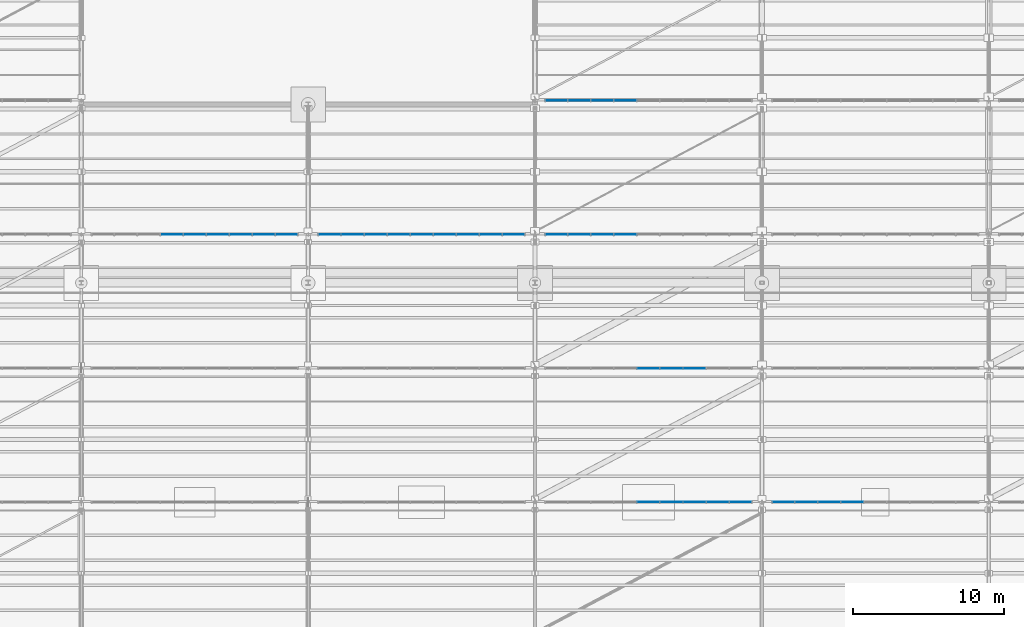
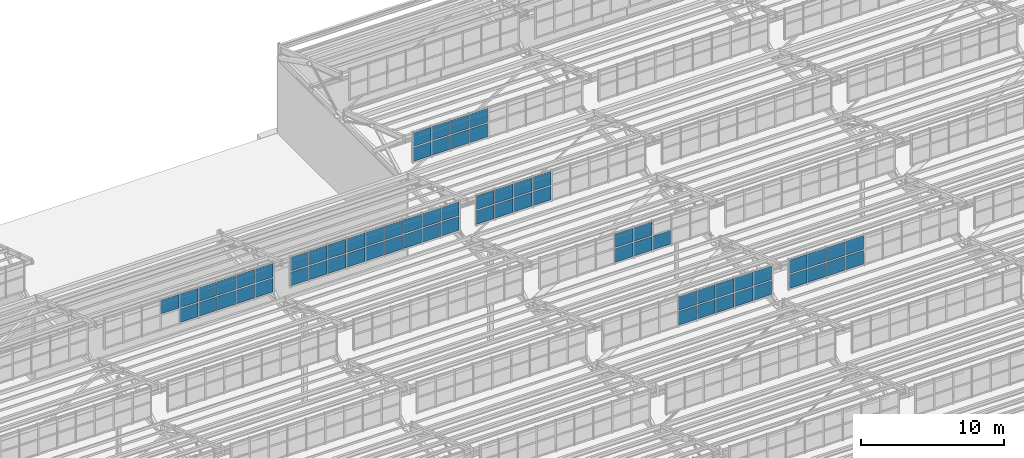
# One storey, part 178 of 285: 68 plates, 7 elements without a shape of their own.
"""IFC4 building model written with IfcOpenShell, lengths in metres."""

import ifcopenshell
import ifcopenshell.guid

model = None  # the IFC model being written
_history = None  # IfcOwnerHistory: only IFC2X3 demands one
_inside = {}  # id of a spatial element -> (the spatial element, [elements in it])
_under = {}  # id of a project, library or spatial element -> (it, [spatial elements below it])
_declared = {}  # id of a project -> (the project, [libraries it declares])
_typed = {}  # id of a type object -> (the type object, [elements of that type])
_made_of = {}  # id of a material, layer set ... -> (it, [elements and type objects made of it])


def new_model(schema):
    """Start an empty IFC model of exactly this schema.

    Asked for "IFC4X3", IfcOpenShell would pick the latest addendum, in which some entities
    have other attributes; the version numbers below select the first issue.
    IFC2X3 requires an IfcOwnerHistory on every rooted entity: one is made here for all.
    """
    global model, _history
    if schema == "IFC4X3":
        model = ifcopenshell.file(schema_version=(4, 3, 0, 0))
    else:
        model = ifcopenshell.file(schema=schema)
    _inside.clear()
    _under.clear()
    _declared.clear()
    _typed.clear()
    _made_of.clear()
    _history = None
    if model.schema == "IFC2X3":
        org = make("IfcOrganization", Name="unknown")
        user = make(
            "IfcPersonAndOrganization",
            ThePerson=make("IfcPerson", FamilyName="unknown"),
            TheOrganization=org,
        )
        app = make(
            "IfcApplication",
            ApplicationDeveloper=org,
            Version="unknown",
            ApplicationFullName="unknown",
            ApplicationIdentifier="unknown",
        )
        _history = make(
            "IfcOwnerHistory",
            OwningUser=user,
            OwningApplication=app,
            ChangeAction="ADDED",
            CreationDate=0,
        )
    return model


def make(cls, **values):
    """One entity of the class cls with the attributes given. An attribute that is None is left unset."""
    return model.create_entity(
        cls, **{name: value for name, value in values.items() if value is not None}
    )


def rooted(cls, **values):
    """An entity with a GlobalId (a new one), such as an element, a storey or a relation."""
    return make(cls, GlobalId=ifcopenshell.guid.new(), OwnerHistory=_history, **values)


def si_unit(unit_type, name, prefix=None):
    """IfcSIUnit, for example si_unit("LENGTHUNIT", "METRE", prefix="MILLI")."""
    return make("IfcSIUnit", UnitType=unit_type, Prefix=prefix, Name=name)


def assignment(units):
    """IfcUnitAssignment: the units of a project."""
    return None if units is None else make("IfcUnitAssignment", Units=units)


def point(xyz):
    """IfcCartesianPoint."""
    return None if xyz is None else make("IfcCartesianPoint", Coordinates=xyz)


def direction(xyz):
    """IfcDirection."""
    return None if xyz is None else make("IfcDirection", DirectionRatios=xyz)


def frame(location, z_axis=None, x_axis=None):
    """IfcAxis2Placement3D, a coordinate frame: its origin and axes. An axis left out is left unset."""
    return make(
        "IfcAxis2Placement3D",
        Location=point(location),
        Axis=direction(z_axis),
        RefDirection=direction(x_axis),
    )


def frame_2d(location, x_axis=None):
    """IfcAxis2Placement2D, a coordinate frame in the plane: its origin and x axis."""
    return make(
        "IfcAxis2Placement2D", Location=point(location), RefDirection=direction(x_axis)
    )


def origin():
    """The frame at (0, 0, 0) with its axes left unset."""
    return frame((0.0, 0.0, 0.0))


def origin_2d():
    """The frame at (0, 0) in the plane with its x axis left unset."""
    return frame_2d((0.0, 0.0))


def place(relative_to, where):
    """IfcLocalPlacement: puts the frame where relative to a parent placement (None: the world)."""
    return make(
        "IfcLocalPlacement", PlacementRelTo=relative_to, RelativePlacement=where
    )


def context(
    kind, dimensions, precision=None, world=None, true_north=None, identifier=None
):
    """IfcGeometricRepresentationContext, for example the 3D "Model" context."""
    return make(
        "IfcGeometricRepresentationContext",
        ContextIdentifier=identifier,
        ContextType=kind,
        CoordinateSpaceDimension=dimensions,
        Precision=precision,
        WorldCoordinateSystem=world,
        TrueNorth=true_north,
    )


def subcontext(parent, identifier, kind, view, scale=None):
    """IfcGeometricRepresentationSubContext, for example "Body" below "Model"."""
    return make(
        "IfcGeometricRepresentationSubContext",
        ContextIdentifier=identifier,
        ContextType=kind,
        ParentContext=parent,
        TargetScale=scale,
        TargetView=view,
    )


def project(units=None, contexts=None):
    """IfcProject with its units and contexts."""
    return rooted(
        "IfcProject",
        Name="project",
        RepresentationContexts=contexts,
        UnitsInContext=assignment(units),
    )


def spatial(cls, under=None, at=None, **own):
    """A site, building, storey or space (cls), placed at a placement, below another one or the project."""
    s = rooted(cls, ObjectPlacement=at, **own)
    if under is not None:
        _under.setdefault(under.id(), (under, []))[1].append(s)
    return s


def profile(cls, at=None, kind="AREA", **sizes):
    """A parametric profile (cls). Its sizes go by their IFC names, for example OverallWidth=200.0."""
    return make(cls, ProfileType=kind, Position=at, **sizes)


def rectangle(**sizes):
    """IfcRectangleProfileDef."""
    return profile("IfcRectangleProfileDef", **sizes)


def extrude(swept, where, along, depth):
    """IfcExtrudedAreaSolid: the profile swept, set in the frame where, extruded along a direction by depth."""
    return make(
        "IfcExtrudedAreaSolid",
        SweptArea=swept,
        Position=where,
        ExtrudedDirection=direction(along),
        Depth=depth,
    )


def shape(context_of_items, identifier, shape_type, items):
    """IfcShapeRepresentation: the items that make up one representation, for example the "Body"."""
    return make(
        "IfcShapeRepresentation",
        ContextOfItems=context_of_items,
        RepresentationIdentifier=identifier,
        RepresentationType=shape_type,
        Items=items,
    )


def material(Name=None, Category=None):
    """IfcMaterial."""
    return make("IfcMaterial", Name=Name, Category=Category)


def layer(
    of_material, thickness, ventilated=None, Name=None, Category=None, Priority=None
):
    """IfcMaterialLayer: one layer of a wall or slab, of a material (None: an air gap)."""
    return make(
        "IfcMaterialLayer",
        Material=of_material,
        LayerThickness=thickness,
        IsVentilated=ventilated,
        Name=Name,
        Category=Category,
        Priority=Priority,
    )


def layer_set(layers, Name=None):
    """IfcMaterialLayerSet."""
    return make("IfcMaterialLayerSet", MaterialLayers=layers, LayerSetName=Name)


def made_of(thing, what):
    """Note that an element or type object is made of a material, layer set ...; save() writes the relation."""
    if what is not None:
        _made_of.setdefault(what.id(), (what, []))[1].append(thing)
    return thing


def type_object(cls, material=None, **own):
    """A type object (cls), such as IfcWallType, which elements share."""
    return made_of(rooted(cls, **own), material)


def element(
    cls,
    number,
    at=None,
    inside=None,
    cuts=None,
    type_object=None,
    material=None,
    context=None,
    identifier="Body",
    shape_type=None,
    held_by="IfcProductDefinitionShape",
    body=None,
    shapes=None,
    **own,
):
    """One element of the class cls, such as IfcWall. Its Tag is "e" and its number.

    at: its placement. inside: the storey or other place that contains it. cuts: it is an
    opening in that element (IfcRelVoidsElement). A single representation is given by context,
    identifier, shape_type and body (its items); several are given by shapes. held_by: the class
    of the entity that holds the representations. save() writes the other relations.
    """
    e = rooted(cls, Tag="e%d" % number, ObjectPlacement=at, **own)
    if body is not None:
        shapes = [shape(context, identifier, shape_type, body)]
    if shapes is not None:
        e.Representation = make(held_by, Representations=shapes)
    if inside is not None:
        _inside.setdefault(inside.id(), (inside, []))[1].append(e)
    if cuts is not None:
        rooted(
            "IfcRelVoidsElement", RelatingBuildingElement=cuts, RelatedOpeningElement=e
        )
    if type_object is not None:
        _typed.setdefault(type_object.id(), (type_object, []))[1].append(e)
    return made_of(e, material)


def aggregate(whole, parts):
    """IfcRelAggregates: a whole, such as a stair, and the parts it consists of."""
    return rooted("IfcRelAggregates", RelatingObject=whole, RelatedObjects=parts)


def save(model, path):
    """Write the relations noted so far, then the file.

    IfcRelAggregates (storeys below a building ...), IfcRelContainedInSpatialStructure (elements
    in a storey), IfcRelDefinesByType, IfcRelAssociatesMaterial and IfcRelDeclares: one each for
    every whole, place, type object, material and project.
    """
    for whole, parts in _under.values():
        aggregate(whole, parts)
    for where, things in _inside.values():
        rooted(
            "IfcRelContainedInSpatialStructure",
            RelatedElements=things,
            RelatingStructure=where,
        )
    for kind, things in _typed.values():
        rooted("IfcRelDefinesByType", RelatedObjects=things, RelatingType=kind)
    for what, things in _made_of.values():
        rooted("IfcRelAssociatesMaterial", RelatedObjects=things, RelatingMaterial=what)
    for by, libraries in _declared.values():
        rooted("IfcRelDeclares", RelatingContext=by, RelatedDefinitions=libraries)
    model.write(path)


model = new_model("IFC4")

# Units and contexts
model_context = context("Model", 3, precision=1e-05, world=origin(), true_north=direction((0.0, 1.0)))
body_context = subcontext(model_context, "Body", "Model", "MODEL_VIEW")
ifc_project = project(units=[si_unit("LENGTHUNIT", "METRE"), si_unit("AREAUNIT", "SQUARE_METRE"), si_unit("VOLUMEUNIT", "CUBIC_METRE"), si_unit("PLANEANGLEUNIT", "RADIAN"), si_unit("MASSUNIT", "GRAM", prefix="KILO")], contexts=[model_context])

# Site, building, storey
site_placement = place(None, origin())
site = spatial("IfcSite", under=ifc_project, at=site_placement, CompositionType="ELEMENT")
building_placement = place(site_placement, origin())
building = spatial("IfcBuilding", under=site, at=building_placement, Name="Solanera Park Tramway Depot", CompositionType="ELEMENT")
storey_placement = place(building_placement, origin())
storey = spatial("IfcBuildingStorey", under=building, at=storey_placement, Name="L00", CompositionType="ELEMENT", Elevation=0.0)

# Curtain wall, plates
ifc_material_1 = material(Name="Bronze-anodised thermally broken aluminium curtain wall", Category="aluminium")
curtain_wall_type = type_object("IfcCurtainWallType", Name="Sawtooth Clerestory Monitor Curtain Wall", PredefinedType="NOTDEFINED", material=ifc_material_1)
curtain_wall_1_placement = place(storey_placement, origin())
curtain_wall_1 = element("IfcCurtainWall", 1, at=curtain_wall_1_placement, inside=storey, type_object=curtain_wall_type, Name="L00 Sawtooth Clerestory Monitor Curtain Wall #041", PredefinedType="NOTDEFINED")
ifc_material_2 = material(Name="Low-E laminated solar-control double glazing", Category="glass")
ifc_layer = layer(ifc_material_2, 0.028076171875)
ifc_layer_set = layer_set([ifc_layer], Name="Low-E laminated solar-control double glazing")
plate_type = type_object("IfcPlateType", Name="Curtain Wall Double Glazing Panel 28", PredefinedType="CURTAIN_PANEL", material=ifc_layer_set)
plate_1_placement = place(storey_placement, frame((97.5, 100.0, 7.862060546875), z_axis=(0.0, 0.0, 1.0), x_axis=(1.0, 0.0, 0.0)))
plate_1 = element("IfcPlate", 2, at=plate_1_placement, type_object=plate_type, Name="CW-L00-041 Glazing Panel R1.C5", PredefinedType="CURTAIN_PANEL", context=body_context, shape_type="SweptSolid", body=[
    extrude(rectangle(XDim=1.47021484375, YDim=0.028076171875, at=origin_2d()), origin(), (0.0, 0.0, 1.0), 1.16650390625),
])
plate_2_placement = place(storey_placement, frame((99.022216796875, 100.0, 7.862060546875), z_axis=(0.0, 0.0, 1.0), x_axis=(1.0, 0.0, 0.0)))
plate_2 = element("IfcPlate", 3, at=plate_2_placement, type_object=plate_type, Name="CW-L00-041 Glazing Panel R1.C6", PredefinedType="CURTAIN_PANEL", context=body_context, shape_type="SweptSolid", body=[
    extrude(rectangle(XDim=1.47021484375, YDim=0.028076171875, at=origin_2d()), origin(), (0.0, 0.0, 1.0), 1.16650390625),
])
plate_3_placement = place(storey_placement, frame((100.54443359375, 100.0, 7.862060546875), z_axis=(0.0, 0.0, 1.0), x_axis=(1.0, 0.0, 0.0)))
plate_3 = element("IfcPlate", 4, at=plate_3_placement, type_object=plate_type, Name="CW-L00-041 Glazing Panel R1.C7", PredefinedType="CURTAIN_PANEL", context=body_context, shape_type="SweptSolid", body=[
    extrude(rectangle(XDim=1.47021484375, YDim=0.028076171875, at=origin_2d()), origin(), (0.0, 0.0, 1.0), 1.16650390625),
])
plate_4_placement = place(storey_placement, frame((102.066650390625, 100.0, 7.862060546875), z_axis=(0.0, 0.0, 1.0), x_axis=(1.0, 0.0, 0.0)))
plate_4 = element("IfcPlate", 5, at=plate_4_placement, type_object=plate_type, Name="CW-L00-041 Glazing Panel R1.C8", PredefinedType="CURTAIN_PANEL", context=body_context, shape_type="SweptSolid", body=[
    extrude(rectangle(XDim=1.47021484375, YDim=0.028076171875, at=origin_2d()), origin(), (0.0, 0.0, 1.0), 1.16650390625),
])
plate_5_placement = place(storey_placement, frame((103.572509765625, 100.0, 7.862060546875), z_axis=(0.0, 0.0, 1.0), x_axis=(1.0, 0.0, 0.0)))
plate_5 = element("IfcPlate", 6, at=plate_5_placement, type_object=plate_type, Name="CW-L00-041 Glazing Panel R1.C9", PredefinedType="CURTAIN_PANEL", context=body_context, shape_type="SweptSolid", body=[
    extrude(rectangle(XDim=1.437744140625, YDim=0.028076171875, at=origin_2d()), origin(), (0.0, 0.0, 1.0), 1.16650390625),
])
plate_6_placement = place(storey_placement, frame((97.5, 100.0, 9.132568359375), z_axis=(0.0, 0.0, 1.0), x_axis=(1.0, 0.0, 0.0)))
plate_6 = element("IfcPlate", 7, at=plate_6_placement, type_object=plate_type, Name="CW-L00-041 Glazing Panel R2.C5", PredefinedType="CURTAIN_PANEL", context=body_context, shape_type="SweptSolid", body=[
    extrude(rectangle(XDim=1.47021484375, YDim=0.028076171875, at=origin_2d()), origin(), (0.0, 0.0, 1.0), 1.16650390625),
])
plate_7_placement = place(storey_placement, frame((99.022216796875, 100.0, 9.132568359375), z_axis=(0.0, 0.0, 1.0), x_axis=(1.0, 0.0, 0.0)))
plate_7 = element("IfcPlate", 8, at=plate_7_placement, type_object=plate_type, Name="CW-L00-041 Glazing Panel R2.C6", PredefinedType="CURTAIN_PANEL", context=body_context, shape_type="SweptSolid", body=[
    extrude(rectangle(XDim=1.47021484375, YDim=0.028076171875, at=origin_2d()), origin(), (0.0, 0.0, 1.0), 1.16650390625),
])
plate_8_placement = place(storey_placement, frame((100.54443359375, 100.0, 9.132568359375), z_axis=(0.0, 0.0, 1.0), x_axis=(1.0, 0.0, 0.0)))
plate_8 = element("IfcPlate", 9, at=plate_8_placement, type_object=plate_type, Name="CW-L00-041 Glazing Panel R2.C7", PredefinedType="CURTAIN_PANEL", context=body_context, shape_type="SweptSolid", body=[
    extrude(rectangle(XDim=1.47021484375, YDim=0.028076171875, at=origin_2d()), origin(), (0.0, 0.0, 1.0), 1.16650390625),
])
plate_9_placement = place(storey_placement, frame((102.066650390625, 100.0, 9.132568359375), z_axis=(0.0, 0.0, 1.0), x_axis=(1.0, 0.0, 0.0)))
plate_9 = element("IfcPlate", 10, at=plate_9_placement, type_object=plate_type, Name="CW-L00-041 Glazing Panel R2.C8", PredefinedType="CURTAIN_PANEL", context=body_context, shape_type="SweptSolid", body=[
    extrude(rectangle(XDim=1.47021484375, YDim=0.028076171875, at=origin_2d()), origin(), (0.0, 0.0, 1.0), 1.16650390625),
])
plate_10_placement = place(storey_placement, frame((103.572509765625, 100.0, 9.132568359375), z_axis=(0.0, 0.0, 1.0), x_axis=(1.0, 0.0, 0.0)))
plate_10 = element("IfcPlate", 11, at=plate_10_placement, type_object=plate_type, Name="CW-L00-041 Glazing Panel R2.C9", PredefinedType="CURTAIN_PANEL", context=body_context, shape_type="SweptSolid", body=[
    extrude(rectangle(XDim=1.437744140625, YDim=0.028076171875, at=origin_2d()), origin(), (0.0, 0.0, 1.0), 1.16650390625),
])
aggregate(curtain_wall_1, [plate_1, plate_2, plate_3, plate_4, plate_5, plate_6, plate_7, plate_8, plate_9, plate_10])

curtain_wall_2_placement = place(storey_placement, origin())
curtain_wall_2 = element("IfcCurtainWall", 12, at=curtain_wall_2_placement, inside=storey, type_object=curtain_wall_type, Name="L00 Sawtooth Clerestory Monitor Curtain Wall #042", PredefinedType="NOTDEFINED")
plate_11_placement = place(storey_placement, frame((106.427490234375, 100.0, 7.862060546875), z_axis=(0.0, 0.0, 1.0), x_axis=(1.0, 0.0, 0.0)))
plate_11 = element("IfcPlate", 13, at=plate_11_placement, type_object=plate_type, Name="CW-L00-042 Glazing Panel R1.C1", PredefinedType="CURTAIN_PANEL", context=body_context, shape_type="SweptSolid", body=[
    extrude(rectangle(XDim=1.437744140625, YDim=0.028076171875, at=origin_2d()), origin(), (0.0, 0.0, 1.0), 1.16650390625),
])
plate_12_placement = place(storey_placement, frame((107.933349609375, 100.0, 7.862060546875), z_axis=(0.0, 0.0, 1.0), x_axis=(1.0, 0.0, 0.0)))
plate_12 = element("IfcPlate", 14, at=plate_12_placement, type_object=plate_type, Name="CW-L00-042 Glazing Panel R1.C2", PredefinedType="CURTAIN_PANEL", context=body_context, shape_type="SweptSolid", body=[
    extrude(rectangle(XDim=1.47021484375, YDim=0.028076171875, at=origin_2d()), origin(), (0.0, 0.0, 1.0), 1.16650390625),
])
plate_13_placement = place(storey_placement, frame((109.45556640625, 100.0, 7.862060546875), z_axis=(0.0, 0.0, 1.0), x_axis=(1.0, 0.0, 0.0)))
plate_13 = element("IfcPlate", 15, at=plate_13_placement, type_object=plate_type, Name="CW-L00-042 Glazing Panel R1.C3", PredefinedType="CURTAIN_PANEL", context=body_context, shape_type="SweptSolid", body=[
    extrude(rectangle(XDim=1.47021484375, YDim=0.028076171875, at=origin_2d()), origin(), (0.0, 0.0, 1.0), 1.16650390625),
])
plate_14_placement = place(storey_placement, frame((110.977783203125, 100.0, 7.862060546875), z_axis=(0.0, 0.0, 1.0), x_axis=(1.0, 0.0, 0.0)))
plate_14 = element("IfcPlate", 16, at=plate_14_placement, type_object=plate_type, Name="CW-L00-042 Glazing Panel R1.C4", PredefinedType="CURTAIN_PANEL", context=body_context, shape_type="SweptSolid", body=[
    extrude(rectangle(XDim=1.47021484375, YDim=0.028076171875, at=origin_2d()), origin(), (0.0, 0.0, 1.0), 1.16650390625),
])
plate_15_placement = place(storey_placement, frame((106.427490234375, 100.0, 9.132568359375), z_axis=(0.0, 0.0, 1.0), x_axis=(1.0, 0.0, 0.0)))
plate_15 = element("IfcPlate", 17, at=plate_15_placement, type_object=plate_type, Name="CW-L00-042 Glazing Panel R2.C1", PredefinedType="CURTAIN_PANEL", context=body_context, shape_type="SweptSolid", body=[
    extrude(rectangle(XDim=1.437744140625, YDim=0.028076171875, at=origin_2d()), origin(), (0.0, 0.0, 1.0), 1.16650390625),
])
plate_16_placement = place(storey_placement, frame((107.933349609375, 100.0, 9.132568359375), z_axis=(0.0, 0.0, 1.0), x_axis=(1.0, 0.0, 0.0)))
plate_16 = element("IfcPlate", 18, at=plate_16_placement, type_object=plate_type, Name="CW-L00-042 Glazing Panel R2.C2", PredefinedType="CURTAIN_PANEL", context=body_context, shape_type="SweptSolid", body=[
    extrude(rectangle(XDim=1.47021484375, YDim=0.028076171875, at=origin_2d()), origin(), (0.0, 0.0, 1.0), 1.16650390625),
])
plate_17_placement = place(storey_placement, frame((109.45556640625, 100.0, 9.132568359375), z_axis=(0.0, 0.0, 1.0), x_axis=(1.0, 0.0, 0.0)))
plate_17 = element("IfcPlate", 19, at=plate_17_placement, type_object=plate_type, Name="CW-L00-042 Glazing Panel R2.C3", PredefinedType="CURTAIN_PANEL", context=body_context, shape_type="SweptSolid", body=[
    extrude(rectangle(XDim=1.47021484375, YDim=0.028076171875, at=origin_2d()), origin(), (0.0, 0.0, 1.0), 1.16650390625),
])
plate_18_placement = place(storey_placement, frame((110.977783203125, 100.0, 9.132568359375), z_axis=(0.0, 0.0, 1.0), x_axis=(1.0, 0.0, 0.0)))
plate_18 = element("IfcPlate", 20, at=plate_18_placement, type_object=plate_type, Name="CW-L00-042 Glazing Panel R2.C4", PredefinedType="CURTAIN_PANEL", context=body_context, shape_type="SweptSolid", body=[
    extrude(rectangle(XDim=1.47021484375, YDim=0.028076171875, at=origin_2d()), origin(), (0.0, 0.0, 1.0), 1.16650390625),
])
aggregate(curtain_wall_2, [plate_11, plate_12, plate_13, plate_14, plate_15, plate_16, plate_17, plate_18])

curtain_wall_3_placement = place(storey_placement, origin())
curtain_wall_3 = element("IfcCurtainWall", 21, at=curtain_wall_3_placement, inside=storey, type_object=curtain_wall_type, Name="L00 Sawtooth Clerestory Monitor Curtain Wall #049", PredefinedType="NOTDEFINED")
plate_19_placement = place(storey_placement, frame((97.5, 108.85009765625, 7.862060546875), z_axis=(0.0, 0.0, 1.0), x_axis=(1.0, 0.0, 0.0)))
plate_19 = element("IfcPlate", 22, at=plate_19_placement, type_object=plate_type, Name="CW-L00-049 Glazing Panel R1.C5", PredefinedType="CURTAIN_PANEL", context=body_context, shape_type="SweptSolid", body=[
    extrude(rectangle(XDim=1.47021484375, YDim=0.028076171875, at=origin_2d()), origin(), (0.0, 0.0, 1.0), 1.16650390625),
])
plate_20_placement = place(storey_placement, frame((99.022216796875, 108.85009765625, 7.862060546875), z_axis=(0.0, 0.0, 1.0), x_axis=(1.0, 0.0, 0.0)))
plate_20 = element("IfcPlate", 23, at=plate_20_placement, type_object=plate_type, Name="CW-L00-049 Glazing Panel R1.C6", PredefinedType="CURTAIN_PANEL", context=body_context, shape_type="SweptSolid", body=[
    extrude(rectangle(XDim=1.47021484375, YDim=0.028076171875, at=origin_2d()), origin(), (0.0, 0.0, 1.0), 1.16650390625),
])
plate_21_placement = place(storey_placement, frame((100.54443359375, 108.85009765625, 7.862060546875), z_axis=(0.0, 0.0, 1.0), x_axis=(1.0, 0.0, 0.0)))
plate_21 = element("IfcPlate", 24, at=plate_21_placement, type_object=plate_type, Name="CW-L00-049 Glazing Panel R1.C7", PredefinedType="CURTAIN_PANEL", context=body_context, shape_type="SweptSolid", body=[
    extrude(rectangle(XDim=1.47021484375, YDim=0.028076171875, at=origin_2d()), origin(), (0.0, 0.0, 1.0), 1.16650390625),
])
plate_22_placement = place(storey_placement, frame((97.5, 108.85009765625, 9.132568359375), z_axis=(0.0, 0.0, 1.0), x_axis=(1.0, 0.0, 0.0)))
plate_22 = element("IfcPlate", 25, at=plate_22_placement, type_object=plate_type, Name="CW-L00-049 Glazing Panel R2.C5", PredefinedType="CURTAIN_PANEL", context=body_context, shape_type="SweptSolid", body=[
    extrude(rectangle(XDim=1.47021484375, YDim=0.028076171875, at=origin_2d()), origin(), (0.0, 0.0, 1.0), 1.16650390625),
])
plate_23_placement = place(storey_placement, frame((99.022216796875, 108.85009765625, 9.132568359375), z_axis=(0.0, 0.0, 1.0), x_axis=(1.0, 0.0, 0.0)))
plate_23 = element("IfcPlate", 26, at=plate_23_placement, type_object=plate_type, Name="CW-L00-049 Glazing Panel R2.C6", PredefinedType="CURTAIN_PANEL", context=body_context, shape_type="SweptSolid", body=[
    extrude(rectangle(XDim=1.47021484375, YDim=0.028076171875, at=origin_2d()), origin(), (0.0, 0.0, 1.0), 1.16650390625),
])
aggregate(curtain_wall_3, [plate_19, plate_20, plate_21, plate_22, plate_23])

curtain_wall_4_placement = place(storey_placement, origin())
curtain_wall_4 = element("IfcCurtainWall", 27, at=curtain_wall_4_placement, inside=storey, type_object=curtain_wall_type, Name="L00 Sawtooth Clerestory Monitor Curtain Wall #055", PredefinedType="NOTDEFINED")
plate_24_placement = place(storey_placement, frame((67.5, 117.699951171875, 7.862060546875), z_axis=(0.0, 0.0, 1.0), x_axis=(1.0, 0.0, 0.0)))
plate_24 = element("IfcPlate", 28, at=plate_24_placement, type_object=plate_type, Name="CW-L00-055 Glazing Panel R1.C5", PredefinedType="CURTAIN_PANEL", context=body_context, shape_type="SweptSolid", body=[
    extrude(rectangle(XDim=1.47021484375, YDim=0.028076171875, at=origin_2d()), origin(), (0.0, 0.0, 1.0), 1.16650390625),
])
plate_25_placement = place(storey_placement, frame((69.022216796875, 117.699951171875, 7.862060546875), z_axis=(0.0, 0.0, 1.0), x_axis=(1.0, 0.0, 0.0)))
plate_25 = element("IfcPlate", 29, at=plate_25_placement, type_object=plate_type, Name="CW-L00-055 Glazing Panel R1.C6", PredefinedType="CURTAIN_PANEL", context=body_context, shape_type="SweptSolid", body=[
    extrude(rectangle(XDim=1.47021484375, YDim=0.028076171875, at=origin_2d()), origin(), (0.0, 0.0, 1.0), 1.16650390625),
])
plate_26_placement = place(storey_placement, frame((70.54443359375, 117.699951171875, 7.862060546875), z_axis=(0.0, 0.0, 1.0), x_axis=(1.0, 0.0, 0.0)))
plate_26 = element("IfcPlate", 30, at=plate_26_placement, type_object=plate_type, Name="CW-L00-055 Glazing Panel R1.C7", PredefinedType="CURTAIN_PANEL", context=body_context, shape_type="SweptSolid", body=[
    extrude(rectangle(XDim=1.47021484375, YDim=0.028076171875, at=origin_2d()), origin(), (0.0, 0.0, 1.0), 1.16650390625),
])
plate_27_placement = place(storey_placement, frame((72.066650390625, 117.699951171875, 7.862060546875), z_axis=(0.0, 0.0, 1.0), x_axis=(1.0, 0.0, 0.0)))
plate_27 = element("IfcPlate", 31, at=plate_27_placement, type_object=plate_type, Name="CW-L00-055 Glazing Panel R1.C8", PredefinedType="CURTAIN_PANEL", context=body_context, shape_type="SweptSolid", body=[
    extrude(rectangle(XDim=1.47021484375, YDim=0.028076171875, at=origin_2d()), origin(), (0.0, 0.0, 1.0), 1.16650390625),
])
plate_28_placement = place(storey_placement, frame((73.572509765625, 117.699951171875, 7.862060546875), z_axis=(0.0, 0.0, 1.0), x_axis=(1.0, 0.0, 0.0)))
plate_28 = element("IfcPlate", 32, at=plate_28_placement, type_object=plate_type, Name="CW-L00-055 Glazing Panel R1.C9", PredefinedType="CURTAIN_PANEL", context=body_context, shape_type="SweptSolid", body=[
    extrude(rectangle(XDim=1.437744140625, YDim=0.028076171875, at=origin_2d()), origin(), (0.0, 0.0, 1.0), 1.16650390625),
])
plate_29_placement = place(storey_placement, frame((65.977783203125, 117.699951171875, 9.132568359375), z_axis=(0.0, 0.0, 1.0), x_axis=(1.0, 0.0, 0.0)))
plate_29 = element("IfcPlate", 33, at=plate_29_placement, type_object=plate_type, Name="CW-L00-055 Glazing Panel R2.C4", PredefinedType="CURTAIN_PANEL", context=body_context, shape_type="SweptSolid", body=[
    extrude(rectangle(XDim=1.47021484375, YDim=0.028076171875, at=origin_2d()), origin(), (0.0, 0.0, 1.0), 1.16650390625),
])
plate_30_placement = place(storey_placement, frame((67.5, 117.699951171875, 9.132568359375), z_axis=(0.0, 0.0, 1.0), x_axis=(1.0, 0.0, 0.0)))
plate_30 = element("IfcPlate", 34, at=plate_30_placement, type_object=plate_type, Name="CW-L00-055 Glazing Panel R2.C5", PredefinedType="CURTAIN_PANEL", context=body_context, shape_type="SweptSolid", body=[
    extrude(rectangle(XDim=1.47021484375, YDim=0.028076171875, at=origin_2d()), origin(), (0.0, 0.0, 1.0), 1.16650390625),
])
plate_31_placement = place(storey_placement, frame((69.022216796875, 117.699951171875, 9.132568359375), z_axis=(0.0, 0.0, 1.0), x_axis=(1.0, 0.0, 0.0)))
plate_31 = element("IfcPlate", 35, at=plate_31_placement, type_object=plate_type, Name="CW-L00-055 Glazing Panel R2.C6", PredefinedType="CURTAIN_PANEL", context=body_context, shape_type="SweptSolid", body=[
    extrude(rectangle(XDim=1.47021484375, YDim=0.028076171875, at=origin_2d()), origin(), (0.0, 0.0, 1.0), 1.16650390625),
])
plate_32_placement = place(storey_placement, frame((70.54443359375, 117.699951171875, 9.132568359375), z_axis=(0.0, 0.0, 1.0), x_axis=(1.0, 0.0, 0.0)))
plate_32 = element("IfcPlate", 36, at=plate_32_placement, type_object=plate_type, Name="CW-L00-055 Glazing Panel R2.C7", PredefinedType="CURTAIN_PANEL", context=body_context, shape_type="SweptSolid", body=[
    extrude(rectangle(XDim=1.47021484375, YDim=0.028076171875, at=origin_2d()), origin(), (0.0, 0.0, 1.0), 1.16650390625),
])
plate_33_placement = place(storey_placement, frame((72.066650390625, 117.699951171875, 9.132568359375), z_axis=(0.0, 0.0, 1.0), x_axis=(1.0, 0.0, 0.0)))
plate_33 = element("IfcPlate", 37, at=plate_33_placement, type_object=plate_type, Name="CW-L00-055 Glazing Panel R2.C8", PredefinedType="CURTAIN_PANEL", context=body_context, shape_type="SweptSolid", body=[
    extrude(rectangle(XDim=1.47021484375, YDim=0.028076171875, at=origin_2d()), origin(), (0.0, 0.0, 1.0), 1.16650390625),
])
plate_34_placement = place(storey_placement, frame((73.572509765625, 117.699951171875, 9.132568359375), z_axis=(0.0, 0.0, 1.0), x_axis=(1.0, 0.0, 0.0)))
plate_34 = element("IfcPlate", 38, at=plate_34_placement, type_object=plate_type, Name="CW-L00-055 Glazing Panel R2.C9", PredefinedType="CURTAIN_PANEL", context=body_context, shape_type="SweptSolid", body=[
    extrude(rectangle(XDim=1.437744140625, YDim=0.028076171875, at=origin_2d()), origin(), (0.0, 0.0, 1.0), 1.16650390625),
])
aggregate(curtain_wall_4, [plate_24, plate_25, plate_26, plate_27, plate_28, plate_29, plate_30, plate_31, plate_32, plate_33, plate_34])

curtain_wall_5_placement = place(storey_placement, origin())
curtain_wall_5 = element("IfcCurtainWall", 39, at=curtain_wall_5_placement, inside=storey, type_object=curtain_wall_type, Name="L00 Sawtooth Clerestory Monitor Curtain Wall #056", PredefinedType="NOTDEFINED")
plate_35_placement = place(storey_placement, frame((76.427490234375, 117.699951171875, 7.862060546875), z_axis=(0.0, 0.0, 1.0), x_axis=(1.0, 0.0, 0.0)))
plate_35 = element("IfcPlate", 40, at=plate_35_placement, type_object=plate_type, Name="CW-L00-056 Glazing Panel R1.C1", PredefinedType="CURTAIN_PANEL", context=body_context, shape_type="SweptSolid", body=[
    extrude(rectangle(XDim=1.437744140625, YDim=0.028076171875, at=origin_2d()), origin(), (0.0, 0.0, 1.0), 1.16650390625),
])
plate_36_placement = place(storey_placement, frame((77.933349609375, 117.699951171875, 7.862060546875), z_axis=(0.0, 0.0, 1.0), x_axis=(1.0, 0.0, 0.0)))
plate_36 = element("IfcPlate", 41, at=plate_36_placement, type_object=plate_type, Name="CW-L00-056 Glazing Panel R1.C2", PredefinedType="CURTAIN_PANEL", context=body_context, shape_type="SweptSolid", body=[
    extrude(rectangle(XDim=1.47021484375, YDim=0.028076171875, at=origin_2d()), origin(), (0.0, 0.0, 1.0), 1.16650390625),
])
plate_37_placement = place(storey_placement, frame((79.45556640625, 117.699951171875, 7.862060546875), z_axis=(0.0, 0.0, 1.0), x_axis=(1.0, 0.0, 0.0)))
plate_37 = element("IfcPlate", 42, at=plate_37_placement, type_object=plate_type, Name="CW-L00-056 Glazing Panel R1.C3", PredefinedType="CURTAIN_PANEL", context=body_context, shape_type="SweptSolid", body=[
    extrude(rectangle(XDim=1.47021484375, YDim=0.028076171875, at=origin_2d()), origin(), (0.0, 0.0, 1.0), 1.16650390625),
])
plate_38_placement = place(storey_placement, frame((80.977783203125, 117.699951171875, 7.862060546875), z_axis=(0.0, 0.0, 1.0), x_axis=(1.0, 0.0, 0.0)))
plate_38 = element("IfcPlate", 43, at=plate_38_placement, type_object=plate_type, Name="CW-L00-056 Glazing Panel R1.C4", PredefinedType="CURTAIN_PANEL", context=body_context, shape_type="SweptSolid", body=[
    extrude(rectangle(XDim=1.47021484375, YDim=0.028076171875, at=origin_2d()), origin(), (0.0, 0.0, 1.0), 1.16650390625),
])
plate_39_placement = place(storey_placement, frame((82.5, 117.699951171875, 7.862060546875), z_axis=(0.0, 0.0, 1.0), x_axis=(1.0, 0.0, 0.0)))
plate_39 = element("IfcPlate", 44, at=plate_39_placement, type_object=plate_type, Name="CW-L00-056 Glazing Panel R1.C5", PredefinedType="CURTAIN_PANEL", context=body_context, shape_type="SweptSolid", body=[
    extrude(rectangle(XDim=1.47021484375, YDim=0.028076171875, at=origin_2d()), origin(), (0.0, 0.0, 1.0), 1.16650390625),
])
plate_40_placement = place(storey_placement, frame((84.022216796875, 117.699951171875, 7.862060546875), z_axis=(0.0, 0.0, 1.0), x_axis=(1.0, 0.0, 0.0)))
plate_40 = element("IfcPlate", 45, at=plate_40_placement, type_object=plate_type, Name="CW-L00-056 Glazing Panel R1.C6", PredefinedType="CURTAIN_PANEL", context=body_context, shape_type="SweptSolid", body=[
    extrude(rectangle(XDim=1.47021484375, YDim=0.028076171875, at=origin_2d()), origin(), (0.0, 0.0, 1.0), 1.16650390625),
])
plate_41_placement = place(storey_placement, frame((85.54443359375, 117.699951171875, 7.862060546875), z_axis=(0.0, 0.0, 1.0), x_axis=(1.0, 0.0, 0.0)))
plate_41 = element("IfcPlate", 46, at=plate_41_placement, type_object=plate_type, Name="CW-L00-056 Glazing Panel R1.C7", PredefinedType="CURTAIN_PANEL", context=body_context, shape_type="SweptSolid", body=[
    extrude(rectangle(XDim=1.47021484375, YDim=0.028076171875, at=origin_2d()), origin(), (0.0, 0.0, 1.0), 1.16650390625),
])
plate_42_placement = place(storey_placement, frame((87.066650390625, 117.699951171875, 7.862060546875), z_axis=(0.0, 0.0, 1.0), x_axis=(1.0, 0.0, 0.0)))
plate_42 = element("IfcPlate", 47, at=plate_42_placement, type_object=plate_type, Name="CW-L00-056 Glazing Panel R1.C8", PredefinedType="CURTAIN_PANEL", context=body_context, shape_type="SweptSolid", body=[
    extrude(rectangle(XDim=1.47021484375, YDim=0.028076171875, at=origin_2d()), origin(), (0.0, 0.0, 1.0), 1.16650390625),
])
plate_43_placement = place(storey_placement, frame((88.572509765625, 117.699951171875, 7.862060546875), z_axis=(0.0, 0.0, 1.0), x_axis=(1.0, 0.0, 0.0)))
plate_43 = element("IfcPlate", 48, at=plate_43_placement, type_object=plate_type, Name="CW-L00-056 Glazing Panel R1.C9", PredefinedType="CURTAIN_PANEL", context=body_context, shape_type="SweptSolid", body=[
    extrude(rectangle(XDim=1.437744140625, YDim=0.028076171875, at=origin_2d()), origin(), (0.0, 0.0, 1.0), 1.16650390625),
])
plate_44_placement = place(storey_placement, frame((76.427490234375, 117.699951171875, 9.132568359375), z_axis=(0.0, 0.0, 1.0), x_axis=(1.0, 0.0, 0.0)))
plate_44 = element("IfcPlate", 49, at=plate_44_placement, type_object=plate_type, Name="CW-L00-056 Glazing Panel R2.C1", PredefinedType="CURTAIN_PANEL", context=body_context, shape_type="SweptSolid", body=[
    extrude(rectangle(XDim=1.437744140625, YDim=0.028076171875, at=origin_2d()), origin(), (0.0, 0.0, 1.0), 1.16650390625),
])
plate_45_placement = place(storey_placement, frame((77.933349609375, 117.699951171875, 9.132568359375), z_axis=(0.0, 0.0, 1.0), x_axis=(1.0, 0.0, 0.0)))
plate_45 = element("IfcPlate", 50, at=plate_45_placement, type_object=plate_type, Name="CW-L00-056 Glazing Panel R2.C2", PredefinedType="CURTAIN_PANEL", context=body_context, shape_type="SweptSolid", body=[
    extrude(rectangle(XDim=1.47021484375, YDim=0.028076171875, at=origin_2d()), origin(), (0.0, 0.0, 1.0), 1.16650390625),
])
plate_46_placement = place(storey_placement, frame((79.45556640625, 117.699951171875, 9.132568359375), z_axis=(0.0, 0.0, 1.0), x_axis=(1.0, 0.0, 0.0)))
plate_46 = element("IfcPlate", 51, at=plate_46_placement, type_object=plate_type, Name="CW-L00-056 Glazing Panel R2.C3", PredefinedType="CURTAIN_PANEL", context=body_context, shape_type="SweptSolid", body=[
    extrude(rectangle(XDim=1.47021484375, YDim=0.028076171875, at=origin_2d()), origin(), (0.0, 0.0, 1.0), 1.16650390625),
])
plate_47_placement = place(storey_placement, frame((80.977783203125, 117.699951171875, 9.132568359375), z_axis=(0.0, 0.0, 1.0), x_axis=(1.0, 0.0, 0.0)))
plate_47 = element("IfcPlate", 52, at=plate_47_placement, type_object=plate_type, Name="CW-L00-056 Glazing Panel R2.C4", PredefinedType="CURTAIN_PANEL", context=body_context, shape_type="SweptSolid", body=[
    extrude(rectangle(XDim=1.47021484375, YDim=0.028076171875, at=origin_2d()), origin(), (0.0, 0.0, 1.0), 1.16650390625),
])
plate_48_placement = place(storey_placement, frame((82.5, 117.699951171875, 9.132568359375), z_axis=(0.0, 0.0, 1.0), x_axis=(1.0, 0.0, 0.0)))
plate_48 = element("IfcPlate", 53, at=plate_48_placement, type_object=plate_type, Name="CW-L00-056 Glazing Panel R2.C5", PredefinedType="CURTAIN_PANEL", context=body_context, shape_type="SweptSolid", body=[
    extrude(rectangle(XDim=1.47021484375, YDim=0.028076171875, at=origin_2d()), origin(), (0.0, 0.0, 1.0), 1.16650390625),
])
plate_49_placement = place(storey_placement, frame((84.022216796875, 117.699951171875, 9.132568359375), z_axis=(0.0, 0.0, 1.0), x_axis=(1.0, 0.0, 0.0)))
plate_49 = element("IfcPlate", 54, at=plate_49_placement, type_object=plate_type, Name="CW-L00-056 Glazing Panel R2.C6", PredefinedType="CURTAIN_PANEL", context=body_context, shape_type="SweptSolid", body=[
    extrude(rectangle(XDim=1.47021484375, YDim=0.028076171875, at=origin_2d()), origin(), (0.0, 0.0, 1.0), 1.16650390625),
])
plate_50_placement = place(storey_placement, frame((85.54443359375, 117.699951171875, 9.132568359375), z_axis=(0.0, 0.0, 1.0), x_axis=(1.0, 0.0, 0.0)))
plate_50 = element("IfcPlate", 55, at=plate_50_placement, type_object=plate_type, Name="CW-L00-056 Glazing Panel R2.C7", PredefinedType="CURTAIN_PANEL", context=body_context, shape_type="SweptSolid", body=[
    extrude(rectangle(XDim=1.47021484375, YDim=0.028076171875, at=origin_2d()), origin(), (0.0, 0.0, 1.0), 1.16650390625),
])
plate_51_placement = place(storey_placement, frame((87.066650390625, 117.699951171875, 9.132568359375), z_axis=(0.0, 0.0, 1.0), x_axis=(1.0, 0.0, 0.0)))
plate_51 = element("IfcPlate", 56, at=plate_51_placement, type_object=plate_type, Name="CW-L00-056 Glazing Panel R2.C8", PredefinedType="CURTAIN_PANEL", context=body_context, shape_type="SweptSolid", body=[
    extrude(rectangle(XDim=1.47021484375, YDim=0.028076171875, at=origin_2d()), origin(), (0.0, 0.0, 1.0), 1.16650390625),
])
plate_52_placement = place(storey_placement, frame((88.572509765625, 117.699951171875, 9.132568359375), z_axis=(0.0, 0.0, 1.0), x_axis=(1.0, 0.0, 0.0)))
plate_52 = element("IfcPlate", 57, at=plate_52_placement, type_object=plate_type, Name="CW-L00-056 Glazing Panel R2.C9", PredefinedType="CURTAIN_PANEL", context=body_context, shape_type="SweptSolid", body=[
    extrude(rectangle(XDim=1.437744140625, YDim=0.028076171875, at=origin_2d()), origin(), (0.0, 0.0, 1.0), 1.16650390625),
])
aggregate(curtain_wall_5, [plate_35, plate_36, plate_37, plate_38, plate_39, plate_40, plate_41, plate_42, plate_43, plate_44, plate_45, plate_46, plate_47, plate_48, plate_49, plate_50, plate_51, plate_52])

curtain_wall_6_placement = place(storey_placement, origin())
curtain_wall_6 = element("IfcCurtainWall", 58, at=curtain_wall_6_placement, inside=storey, type_object=curtain_wall_type, Name="L00 Sawtooth Clerestory Monitor Curtain Wall #057", PredefinedType="NOTDEFINED")
plate_53_placement = place(storey_placement, frame((91.427490234375, 117.699951171875, 7.862060546875), z_axis=(0.0, 0.0, 1.0), x_axis=(1.0, 0.0, 0.0)))
plate_53 = element("IfcPlate", 59, at=plate_53_placement, type_object=plate_type, Name="CW-L00-057 Glazing Panel R1.C1", PredefinedType="CURTAIN_PANEL", context=body_context, shape_type="SweptSolid", body=[
    extrude(rectangle(XDim=1.437744140625, YDim=0.028076171875, at=origin_2d()), origin(), (0.0, 0.0, 1.0), 1.16650390625),
])
plate_54_placement = place(storey_placement, frame((92.933349609375, 117.699951171875, 7.862060546875), z_axis=(0.0, 0.0, 1.0), x_axis=(1.0, 0.0, 0.0)))
plate_54 = element("IfcPlate", 60, at=plate_54_placement, type_object=plate_type, Name="CW-L00-057 Glazing Panel R1.C2", PredefinedType="CURTAIN_PANEL", context=body_context, shape_type="SweptSolid", body=[
    extrude(rectangle(XDim=1.47021484375, YDim=0.028076171875, at=origin_2d()), origin(), (0.0, 0.0, 1.0), 1.16650390625),
])
plate_55_placement = place(storey_placement, frame((94.45556640625, 117.699951171875, 7.862060546875), z_axis=(0.0, 0.0, 1.0), x_axis=(1.0, 0.0, 0.0)))
plate_55 = element("IfcPlate", 61, at=plate_55_placement, type_object=plate_type, Name="CW-L00-057 Glazing Panel R1.C3", PredefinedType="CURTAIN_PANEL", context=body_context, shape_type="SweptSolid", body=[
    extrude(rectangle(XDim=1.47021484375, YDim=0.028076171875, at=origin_2d()), origin(), (0.0, 0.0, 1.0), 1.16650390625),
])
plate_56_placement = place(storey_placement, frame((95.977783203125, 117.699951171875, 7.862060546875), z_axis=(0.0, 0.0, 1.0), x_axis=(1.0, 0.0, 0.0)))
plate_56 = element("IfcPlate", 62, at=plate_56_placement, type_object=plate_type, Name="CW-L00-057 Glazing Panel R1.C4", PredefinedType="CURTAIN_PANEL", context=body_context, shape_type="SweptSolid", body=[
    extrude(rectangle(XDim=1.47021484375, YDim=0.028076171875, at=origin_2d()), origin(), (0.0, 0.0, 1.0), 1.16650390625),
])
plate_57_placement = place(storey_placement, frame((91.427490234375, 117.699951171875, 9.132568359375), z_axis=(0.0, 0.0, 1.0), x_axis=(1.0, 0.0, 0.0)))
plate_57 = element("IfcPlate", 63, at=plate_57_placement, type_object=plate_type, Name="CW-L00-057 Glazing Panel R2.C1", PredefinedType="CURTAIN_PANEL", context=body_context, shape_type="SweptSolid", body=[
    extrude(rectangle(XDim=1.437744140625, YDim=0.028076171875, at=origin_2d()), origin(), (0.0, 0.0, 1.0), 1.16650390625),
])
plate_58_placement = place(storey_placement, frame((92.933349609375, 117.699951171875, 9.132568359375), z_axis=(0.0, 0.0, 1.0), x_axis=(1.0, 0.0, 0.0)))
plate_58 = element("IfcPlate", 64, at=plate_58_placement, type_object=plate_type, Name="CW-L00-057 Glazing Panel R2.C2", PredefinedType="CURTAIN_PANEL", context=body_context, shape_type="SweptSolid", body=[
    extrude(rectangle(XDim=1.47021484375, YDim=0.028076171875, at=origin_2d()), origin(), (0.0, 0.0, 1.0), 1.16650390625),
])
plate_59_placement = place(storey_placement, frame((94.45556640625, 117.699951171875, 9.132568359375), z_axis=(0.0, 0.0, 1.0), x_axis=(1.0, 0.0, 0.0)))
plate_59 = element("IfcPlate", 65, at=plate_59_placement, type_object=plate_type, Name="CW-L00-057 Glazing Panel R2.C3", PredefinedType="CURTAIN_PANEL", context=body_context, shape_type="SweptSolid", body=[
    extrude(rectangle(XDim=1.47021484375, YDim=0.028076171875, at=origin_2d()), origin(), (0.0, 0.0, 1.0), 1.16650390625),
])
plate_60_placement = place(storey_placement, frame((95.977783203125, 117.699951171875, 9.132568359375), z_axis=(0.0, 0.0, 1.0), x_axis=(1.0, 0.0, 0.0)))
plate_60 = element("IfcPlate", 66, at=plate_60_placement, type_object=plate_type, Name="CW-L00-057 Glazing Panel R2.C4", PredefinedType="CURTAIN_PANEL", context=body_context, shape_type="SweptSolid", body=[
    extrude(rectangle(XDim=1.47021484375, YDim=0.028076171875, at=origin_2d()), origin(), (0.0, 0.0, 1.0), 1.16650390625),
])
aggregate(curtain_wall_6, [plate_53, plate_54, plate_55, plate_56, plate_57, plate_58, plate_59, plate_60])

curtain_wall_7_placement = place(storey_placement, origin())
curtain_wall_7 = element("IfcCurtainWall", 67, at=curtain_wall_7_placement, inside=storey, type_object=curtain_wall_type, Name="L00 Sawtooth Clerestory Monitor Curtain Wall #063", PredefinedType="NOTDEFINED")
plate_61_placement = place(storey_placement, frame((91.427490234375, 126.550048828125, 7.862060546875), z_axis=(0.0, 0.0, 1.0), x_axis=(1.0, 0.0, 0.0)))
plate_61 = element("IfcPlate", 68, at=plate_61_placement, type_object=plate_type, Name="CW-L00-063 Glazing Panel R1.C1", PredefinedType="CURTAIN_PANEL", context=body_context, shape_type="SweptSolid", body=[
    extrude(rectangle(XDim=1.437744140625, YDim=0.028076171875, at=origin_2d()), origin(), (0.0, 0.0, 1.0), 1.16650390625),
])
plate_62_placement = place(storey_placement, frame((92.933349609375, 126.550048828125, 7.862060546875), z_axis=(0.0, 0.0, 1.0), x_axis=(1.0, 0.0, 0.0)))
plate_62 = element("IfcPlate", 69, at=plate_62_placement, type_object=plate_type, Name="CW-L00-063 Glazing Panel R1.C2", PredefinedType="CURTAIN_PANEL", context=body_context, shape_type="SweptSolid", body=[
    extrude(rectangle(XDim=1.47021484375, YDim=0.028076171875, at=origin_2d()), origin(), (0.0, 0.0, 1.0), 1.16650390625),
])
plate_63_placement = place(storey_placement, frame((94.45556640625, 126.550048828125, 7.862060546875), z_axis=(0.0, 0.0, 1.0), x_axis=(1.0, 0.0, 0.0)))
plate_63 = element("IfcPlate", 70, at=plate_63_placement, type_object=plate_type, Name="CW-L00-063 Glazing Panel R1.C3", PredefinedType="CURTAIN_PANEL", context=body_context, shape_type="SweptSolid", body=[
    extrude(rectangle(XDim=1.47021484375, YDim=0.028076171875, at=origin_2d()), origin(), (0.0, 0.0, 1.0), 1.16650390625),
])
plate_64_placement = place(storey_placement, frame((95.977783203125, 126.550048828125, 7.862060546875), z_axis=(0.0, 0.0, 1.0), x_axis=(1.0, 0.0, 0.0)))
plate_64 = element("IfcPlate", 71, at=plate_64_placement, type_object=plate_type, Name="CW-L00-063 Glazing Panel R1.C4", PredefinedType="CURTAIN_PANEL", context=body_context, shape_type="SweptSolid", body=[
    extrude(rectangle(XDim=1.47021484375, YDim=0.028076171875, at=origin_2d()), origin(), (0.0, 0.0, 1.0), 1.16650390625),
])
plate_65_placement = place(storey_placement, frame((91.427490234375, 126.550048828125, 9.132568359375), z_axis=(0.0, 0.0, 1.0), x_axis=(1.0, 0.0, 0.0)))
plate_65 = element("IfcPlate", 72, at=plate_65_placement, type_object=plate_type, Name="CW-L00-063 Glazing Panel R2.C1", PredefinedType="CURTAIN_PANEL", context=body_context, shape_type="SweptSolid", body=[
    extrude(rectangle(XDim=1.437744140625, YDim=0.028076171875, at=origin_2d()), origin(), (0.0, 0.0, 1.0), 1.16650390625),
])
plate_66_placement = place(storey_placement, frame((92.933349609375, 126.550048828125, 9.132568359375), z_axis=(0.0, 0.0, 1.0), x_axis=(1.0, 0.0, 0.0)))
plate_66 = element("IfcPlate", 73, at=plate_66_placement, type_object=plate_type, Name="CW-L00-063 Glazing Panel R2.C2", PredefinedType="CURTAIN_PANEL", context=body_context, shape_type="SweptSolid", body=[
    extrude(rectangle(XDim=1.47021484375, YDim=0.028076171875, at=origin_2d()), origin(), (0.0, 0.0, 1.0), 1.16650390625),
])
plate_67_placement = place(storey_placement, frame((94.45556640625, 126.550048828125, 9.132568359375), z_axis=(0.0, 0.0, 1.0), x_axis=(1.0, 0.0, 0.0)))
plate_67 = element("IfcPlate", 74, at=plate_67_placement, type_object=plate_type, Name="CW-L00-063 Glazing Panel R2.C3", PredefinedType="CURTAIN_PANEL", context=body_context, shape_type="SweptSolid", body=[
    extrude(rectangle(XDim=1.47021484375, YDim=0.028076171875, at=origin_2d()), origin(), (0.0, 0.0, 1.0), 1.16650390625),
])
plate_68_placement = place(storey_placement, frame((95.977783203125, 126.550048828125, 9.132568359375), z_axis=(0.0, 0.0, 1.0), x_axis=(1.0, 0.0, 0.0)))
plate_68 = element("IfcPlate", 75, at=plate_68_placement, type_object=plate_type, Name="CW-L00-063 Glazing Panel R2.C4", PredefinedType="CURTAIN_PANEL", context=body_context, shape_type="SweptSolid", body=[
    extrude(rectangle(XDim=1.47021484375, YDim=0.028076171875, at=origin_2d()), origin(), (0.0, 0.0, 1.0), 1.16650390625),
])
aggregate(curtain_wall_7, [plate_61, plate_62, plate_63, plate_64, plate_65, plate_66, plate_67, plate_68])

save(model, "model.ifc")
